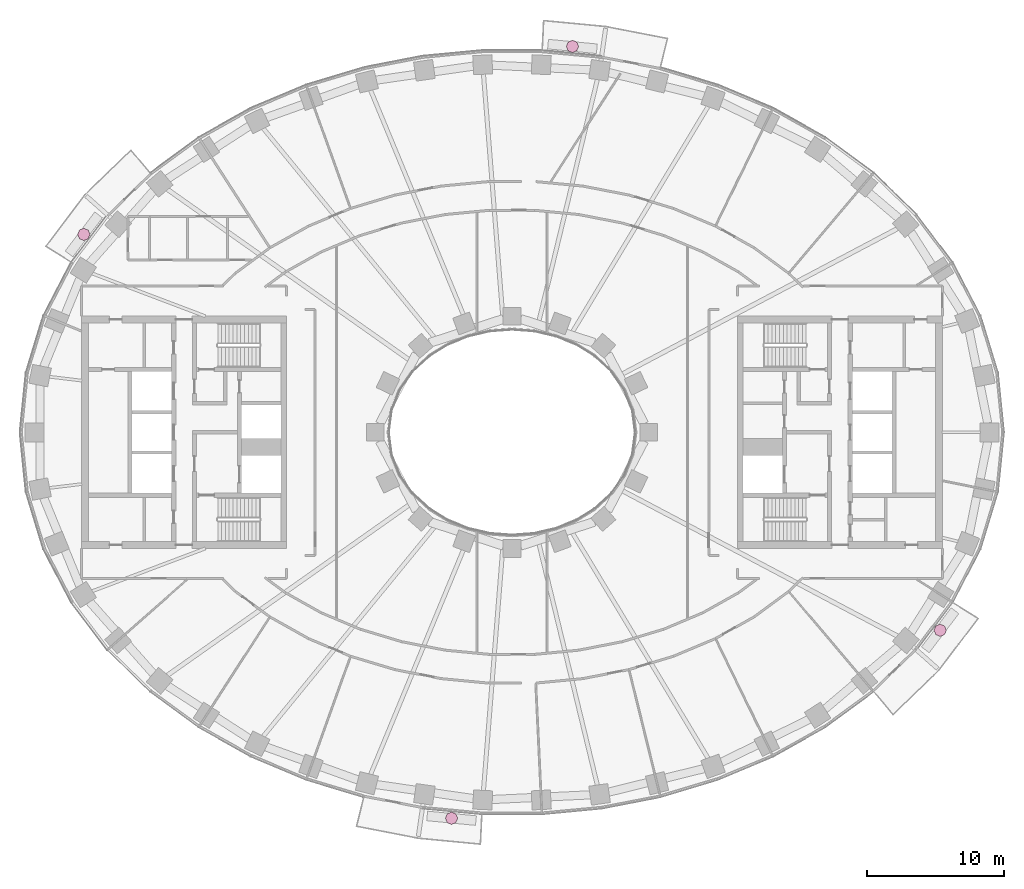
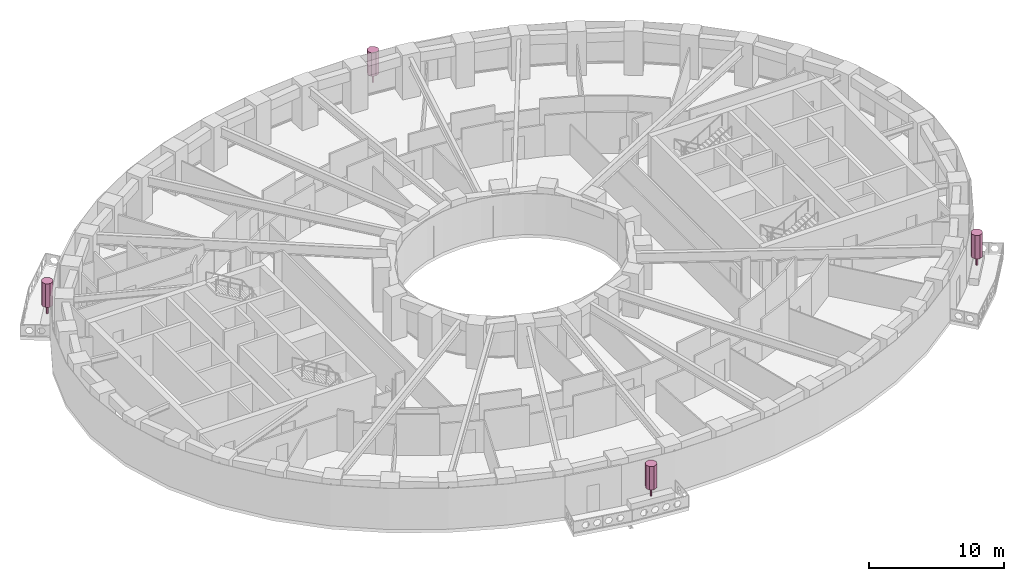
# One storey, part 16 of 16: 4 furnishings.
"""IFC4 building model written with IfcOpenShell, lengths in metres."""

from ifc_helpers import new_model, si_unit, direction, frame, origin, origin_2d, place, context, subcontext, project, spatial, polyline, rectangle, outline, extrude, material, type_object, element, save


model = new_model("IFC4")

# Units and contexts
model_context = context("Model", 3, precision=1e-05, world=origin(), true_north=direction((0.0, 1.0)))
body_context = subcontext(model_context, "Body", "Model", "MODEL_VIEW")
ifc_project = project(units=[si_unit("LENGTHUNIT", "METRE"), si_unit("AREAUNIT", "SQUARE_METRE"), si_unit("VOLUMEUNIT", "CUBIC_METRE"), si_unit("PLANEANGLEUNIT", "RADIAN"), si_unit("MASSUNIT", "GRAM", prefix="KILO")], contexts=[model_context])

# Site, building, storey
site_placement = place(None, origin())
site = spatial("IfcSite", under=ifc_project, at=site_placement, CompositionType="ELEMENT")
building_placement = place(site_placement, origin())
building = spatial("IfcBuilding", under=site, at=building_placement, Name="Noorbagh Ring Tower", CompositionType="ELEMENT")
storey_placement = place(building_placement, frame((0.0, 0.0, 70.5)))
storey = spatial("IfcBuildingStorey", under=building, at=storey_placement, Name="L15", CompositionType="ELEMENT", Elevation=70.5)

# Furnishings
ifc_material = material(Name="Planting foliage green")
furnishing_element_type = type_object("IfcFurnishingElementType", Name="ENV-TREE", material=ifc_material)
for number, where, z_axis, x_axis, name in (
    (1, (4.423828125, 28.2373046875, 0.60009765625), (0.0, 0.0, 1.0), (1.0, 0.0, 0.0), "Tree BN03"),
    (2, (-31.329833984375, 14.4833984375, 0.60009765625), (0.0, 0.0, 1.0), (1.0, 0.0, 0.0), "Tree BN06"),
    (3, (-4.423828125, -28.2373046875, 0.60009765625), (0.0, 0.0, 1.0), (1.0, 0.0, 0.0), "Tree BS03"),
    (4, (31.329833984375, -14.4833984375, 0.60009765625), (0.0, 0.0, 1.0), (1.0, 0.0, 0.0), "Tree BS06"),
):
    element("IfcFurnishingElement", number, at=place(storey_placement, frame(where, z_axis=z_axis, x_axis=x_axis)), inside=storey, type_object=furnishing_element_type, Name=name, context=body_context, shape_type="SweptSolid", body=[
        extrude(rectangle(XDim=0.1201171875, YDim=0.1201171875, at=origin_2d()), origin(), (0.0, 0.0, 1.0), 0.825927734375),
        extrude(outline(polyline([(0.449951171875, 0.0), (0.318115234375, 0.318115234375), (0.0, 0.449951171875), (-0.318115234375, 0.318115234375), (-0.449951171875, 0.0), (-0.318115234375, -0.318115234375), (0.0, -0.449951171875), (0.318115234375, -0.318115234375), (0.449951171875, 0.0)])), frame((0.0, 0.0, 0.825927734375)), (0.0, 0.0, 1.0), 2.1240234375),
    ])

save(model, "model.ifc")
